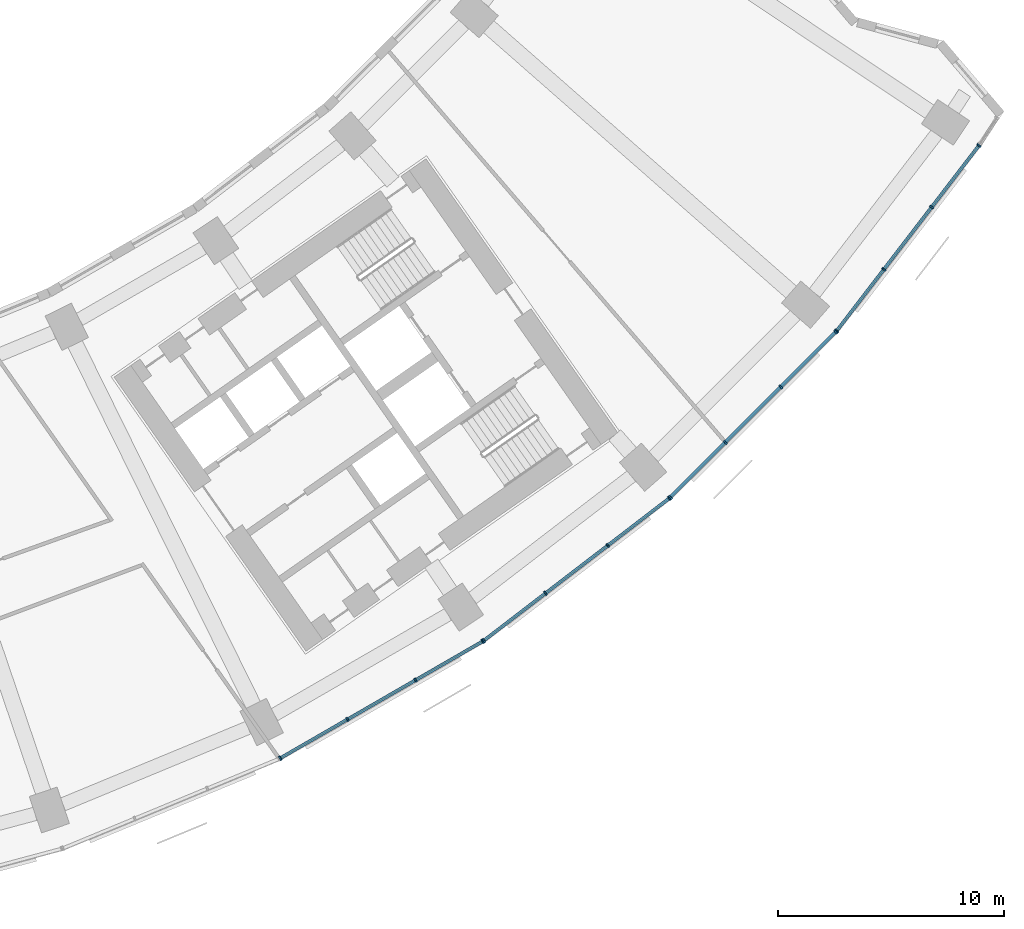
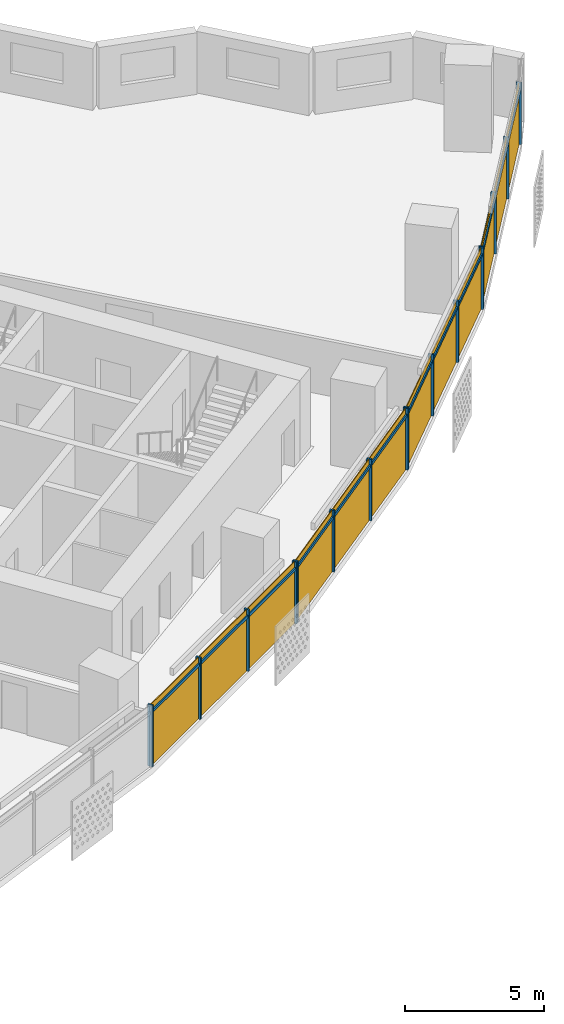
# One storey, part 22 of 29: 28 members, 4 curtain walls.
"""IFC4 building model written with IfcOpenShell, lengths in metres."""

from ifc_helpers import new_model, si_unit, direction, frame, origin, origin_2d, place, context, subcontext, project, spatial, rectangle, extrude, material, material_profile, profile_set, type_object, element, aggregate, save


model = new_model("IFC4")

# Units and contexts
model_context = context("Model", 3, precision=1e-05, world=origin(), true_north=direction((0.0, 1.0)))
body_context = subcontext(model_context, "Body", "Model", "MODEL_VIEW")
ifc_project = project(units=[si_unit("LENGTHUNIT", "METRE"), si_unit("AREAUNIT", "SQUARE_METRE"), si_unit("VOLUMEUNIT", "CUBIC_METRE"), si_unit("PLANEANGLEUNIT", "RADIAN"), si_unit("MASSUNIT", "GRAM", prefix="KILO")], contexts=[model_context])

# Member
ifc_material = material(Name="Aluminium 6063-T6 anodised", Category="aluminium")
ifc_material_profile_1 = material_profile(ifc_material, rectangle(XDim=0.199951171875, YDim=0.070068359375, at=origin_2d()))
ifc_profile_set_1 = profile_set([ifc_material_profile_1], Name="Aluminium 6063-T6 anodised")
member_type_1 = type_object("IfcMemberType", Name="Mullion 70 x 200 aluminium", PredefinedType="MULLION", material=ifc_profile_set_1)
site_placement = place(None, origin())
building_placement = place(site_placement, origin())
storey_placement = place(building_placement, frame((0.0, 0.0, 44.300048828125)))
member_1_placement = place(storey_placement, frame((35.20849609375, -71.331787109375, 0.0), z_axis=(0.0, 0.0, 1.0), x_axis=(-0.5, 0.866025403784, 0.0)))
member_1 = element("IfcMember", 1, at=member_1_placement, type_object=member_type_1, Name="e-cw1-L07-out12/M00", PredefinedType="MULLION", context=body_context, shape_type="SweptSolid", body=[
    extrude(rectangle(XDim=0.199951171875, YDim=0.070068359375, at=origin_2d()), origin(), (0.0, 0.0, 1.0), 2.699951171875),
])

member_2_placement = place(storey_placement, frame((38.18603515625, -69.61279296875, 0.0), z_axis=(0.0, 0.0, 1.0), x_axis=(-0.5, 0.866025403784, 0.0)))
member_2 = element("IfcMember", 2, at=member_2_placement, type_object=member_type_1, Name="e-cw1-L07-out12/M01", PredefinedType="MULLION", context=body_context, shape_type="SweptSolid", body=[
    extrude(rectangle(XDim=0.199951171875, YDim=0.070068359375, at=origin_2d()), origin(), (0.0, 0.0, 1.0), 2.699951171875),
])

member_3_placement = place(storey_placement, frame((41.193603515625, -67.87646484375, 0.0), z_axis=(0.0, 0.0, 1.0), x_axis=(-0.5, 0.866025403784, 0.0)))
member_3 = element("IfcMember", 3, at=member_3_placement, type_object=member_type_1, Name="e-cw1-L07-out12/M02", PredefinedType="MULLION", context=body_context, shape_type="SweptSolid", body=[
    extrude(rectangle(XDim=0.199951171875, YDim=0.070068359375, at=origin_2d()), origin(), (0.0, 0.0, 1.0), 2.699951171875),
])

member_4_placement = place(storey_placement, frame((44.1708984375, -66.157470703125, 0.0), z_axis=(0.0, 0.0, 1.0), x_axis=(-0.5, 0.866025403784, 0.0)))
member_4 = element("IfcMember", 4, at=member_4_placement, type_object=member_type_1, Name="e-cw1-L07-out12/M03", PredefinedType="MULLION", context=body_context, shape_type="SweptSolid", body=[
    extrude(rectangle(XDim=0.199951171875, YDim=0.070068359375, at=origin_2d()), origin(), (0.0, 0.0, 1.0), 2.699951171875),
])

member_5_placement = place(storey_placement, frame((44.218017578125, -66.1259765625, 0.0), z_axis=(0.0, 0.0, 1.0), x_axis=(-0.608761429009, 0.793353340291, 0.0)))
member_5 = element("IfcMember", 5, at=member_5_placement, type_object=member_type_1, Name="e-cw1-L07-out13/M00", PredefinedType="MULLION", context=body_context, shape_type="SweptSolid", body=[
    extrude(rectangle(XDim=0.199951171875, YDim=0.070068359375, at=origin_2d()), origin(), (0.0, 0.0, 1.0), 2.699951171875),
])

member_6_placement = place(storey_placement, frame((46.945556640625, -64.032958984375, 0.0), z_axis=(0.0, 0.0, 1.0), x_axis=(-0.608761429009, 0.793353340291, 0.0)))
member_6 = element("IfcMember", 6, at=member_6_placement, type_object=member_type_1, Name="e-cw1-L07-out13/M01", PredefinedType="MULLION", context=body_context, shape_type="SweptSolid", body=[
    extrude(rectangle(XDim=0.199951171875, YDim=0.070068359375, at=origin_2d()), origin(), (0.0, 0.0, 1.0), 2.699951171875),
])

member_7_placement = place(storey_placement, frame((49.70068359375, -61.9189453125, 0.0), z_axis=(0.0, 0.0, 1.0), x_axis=(-0.608761429009, 0.793353340291, 0.0)))
member_7 = element("IfcMember", 7, at=member_7_placement, type_object=member_type_1, Name="e-cw1-L07-out13/M02", PredefinedType="MULLION", context=body_context, shape_type="SweptSolid", body=[
    extrude(rectangle(XDim=0.199951171875, YDim=0.070068359375, at=origin_2d()), origin(), (0.0, 0.0, 1.0), 2.699951171875),
])

member_8_placement = place(storey_placement, frame((52.42822265625, -59.825927734375, 0.0), z_axis=(0.0, 0.0, 1.0), x_axis=(-0.608761429009, 0.793353340291, 0.0)))
member_8 = element("IfcMember", 8, at=member_8_placement, type_object=member_type_1, Name="e-cw1-L07-out13/M03", PredefinedType="MULLION", context=body_context, shape_type="SweptSolid", body=[
    extrude(rectangle(XDim=0.199951171875, YDim=0.070068359375, at=origin_2d()), origin(), (0.0, 0.0, 1.0), 2.699951171875),
])

member_9_placement = place(storey_placement, frame((52.470947265625, -59.78857421875, 0.0), z_axis=(0.0, 0.0, 1.0), x_axis=(-0.707106781187, 0.707106781187, 0.0)))
member_9 = element("IfcMember", 9, at=member_9_placement, type_object=member_type_1, Name="e-cw1-L07-out14/M00", PredefinedType="MULLION", context=body_context, shape_type="SweptSolid", body=[
    extrude(rectangle(XDim=0.199951171875, YDim=0.070068359375, at=origin_2d()), origin(), (0.0, 0.0, 1.0), 2.699951171875),
])

member_10_placement = place(storey_placement, frame((54.90185546875, -57.357666015625, 0.0), z_axis=(0.0, 0.0, 1.0), x_axis=(-0.707106781187, 0.707106781187, 0.0)))
member_10 = element("IfcMember", 10, at=member_10_placement, type_object=member_type_1, Name="e-cw1-L07-out14/M01", PredefinedType="MULLION", context=body_context, shape_type="SweptSolid", body=[
    extrude(rectangle(XDim=0.199951171875, YDim=0.070068359375, at=origin_2d()), origin(), (0.0, 0.0, 1.0), 2.699951171875),
])

member_11_placement = place(storey_placement, frame((57.357666015625, -54.90185546875, 0.0), z_axis=(0.0, 0.0, 1.0), x_axis=(-0.707106781187, 0.707106781187, 0.0)))
member_11 = element("IfcMember", 11, at=member_11_placement, type_object=member_type_1, Name="e-cw1-L07-out14/M02", PredefinedType="MULLION", context=body_context, shape_type="SweptSolid", body=[
    extrude(rectangle(XDim=0.199951171875, YDim=0.070068359375, at=origin_2d()), origin(), (0.0, 0.0, 1.0), 2.699951171875),
])

member_12_placement = place(storey_placement, frame((59.78857421875, -52.470947265625, 0.0), z_axis=(0.0, 0.0, 1.0), x_axis=(-0.707106781187, 0.707106781187, 0.0)))
member_12 = element("IfcMember", 12, at=member_12_placement, type_object=member_type_1, Name="e-cw1-L07-out14/M03", PredefinedType="MULLION", context=body_context, shape_type="SweptSolid", body=[
    extrude(rectangle(XDim=0.199951171875, YDim=0.070068359375, at=origin_2d()), origin(), (0.0, 0.0, 1.0), 2.699951171875),
])

member_13_placement = place(storey_placement, frame((59.825927734375, -52.42822265625, 0.0), z_axis=(0.0, 0.0, 1.0), x_axis=(-0.793353340291, 0.608761429009, 0.0)))
member_13 = element("IfcMember", 13, at=member_13_placement, type_object=member_type_1, Name="e-cw1-L07-out15/M00", PredefinedType="MULLION", context=body_context, shape_type="SweptSolid", body=[
    extrude(rectangle(XDim=0.199951171875, YDim=0.070068359375, at=origin_2d()), origin(), (0.0, 0.0, 1.0), 2.699951171875),
])

member_14_placement = place(storey_placement, frame((61.9189453125, -49.70068359375, 0.0), z_axis=(0.0, 0.0, 1.0), x_axis=(-0.793353340291, 0.608761429009, 0.0)))
member_14 = element("IfcMember", 14, at=member_14_placement, type_object=member_type_1, Name="e-cw1-L07-out15/M01", PredefinedType="MULLION", context=body_context, shape_type="SweptSolid", body=[
    extrude(rectangle(XDim=0.199951171875, YDim=0.070068359375, at=origin_2d()), origin(), (0.0, 0.0, 1.0), 2.699951171875),
])

member_15_placement = place(storey_placement, frame((64.032958984375, -46.945556640625, 0.0), z_axis=(0.0, 0.0, 1.0), x_axis=(-0.793353340291, 0.608761429009, 0.0)))
member_15 = element("IfcMember", 15, at=member_15_placement, type_object=member_type_1, Name="e-cw1-L07-out15/M02", PredefinedType="MULLION", context=body_context, shape_type="SweptSolid", body=[
    extrude(rectangle(XDim=0.199951171875, YDim=0.070068359375, at=origin_2d()), origin(), (0.0, 0.0, 1.0), 2.699951171875),
])

member_16_placement = place(storey_placement, frame((66.1259765625, -44.218017578125, 0.0), z_axis=(0.0, 0.0, 1.0), x_axis=(-0.793353340291, 0.608761429009, 0.0)))
member_16 = element("IfcMember", 16, at=member_16_placement, type_object=member_type_1, Name="e-cw1-L07-out15/M03", PredefinedType="MULLION", context=body_context, shape_type="SweptSolid", body=[
    extrude(rectangle(XDim=0.199951171875, YDim=0.070068359375, at=origin_2d()), origin(), (0.0, 0.0, 1.0), 2.699951171875),
])

ifc_material_profile_2 = material_profile(ifc_material, rectangle(XDim=0.139892578125, YDim=0.1201171875, at=origin_2d()))
ifc_profile_set_2 = profile_set([ifc_material_profile_2], Name="Aluminium 6063-T6 anodised")
member_type_2 = type_object("IfcMemberType", Name="Transom 120 x 140 aluminium", PredefinedType="USERDEFINED", material=ifc_profile_set_2)
member_17_placement = place(storey_placement, frame((35.239013671875, -71.314208984375, 2.39990234375), z_axis=(0.866026229868, 0.499998569178, 0.0), x_axis=(-0.499998569178, 0.866026229868, 0.0)))
member_17 = element("IfcMember", 17, at=member_17_placement, type_object=member_type_2, Name="e-cw1-L07-out12/T00", ObjectType="TRANSOM", PredefinedType="USERDEFINED", context=body_context, shape_type="SweptSolid", body=[
    extrude(rectangle(XDim=0.139892578125, YDim=0.1201171875, at=origin_2d()), origin(), (0.0, 0.0, 1.0), 3.36767578125),
])

member_18_placement = place(storey_placement, frame((38.21630859375, -69.595458984375, 2.39990234375), z_axis=(0.866000398227, 0.500043308395, 0.0), x_axis=(-0.500043308395, 0.866000398227, 0.0)))
member_18 = element("IfcMember", 18, at=member_18_placement, type_object=member_type_2, Name="e-cw1-L07-out12/T01", ObjectType="TRANSOM", PredefinedType="USERDEFINED", context=body_context, shape_type="SweptSolid", body=[
    extrude(rectangle(XDim=0.139892578125, YDim=0.1201171875, at=origin_2d()), origin(), (0.0, 0.0, 1.0), 3.403076171875),
])

member_19_placement = place(storey_placement, frame((41.223876953125, -67.85888671875, 2.39990234375), z_axis=(0.866044351828, 0.49996717959, 0.0), x_axis=(-0.49996717959, 0.866044351828, 0.0)))
member_19 = element("IfcMember", 19, at=member_19_placement, type_object=member_type_2, Name="e-cw1-L07-out12/T02", ObjectType="TRANSOM", PredefinedType="USERDEFINED", context=body_context, shape_type="SweptSolid", body=[
    extrude(rectangle(XDim=0.139892578125, YDim=0.1201171875, at=origin_2d()), origin(), (0.0, 0.0, 1.0), 3.367919921875),
])

member_20_placement = place(storey_placement, frame((44.245849609375, -66.1044921875, 2.39990234375), z_axis=(0.793375276742, 0.608732839803, 0.0), x_axis=(-0.608732839803, 0.793375276742, 0.0)))
member_20 = element("IfcMember", 20, at=member_20_placement, type_object=member_type_2, Name="e-cw1-L07-out13/T00", ObjectType="TRANSOM", PredefinedType="USERDEFINED", context=body_context, shape_type="SweptSolid", body=[
    extrude(rectangle(XDim=0.139892578125, YDim=0.1201171875, at=origin_2d()), origin(), (0.0, 0.0, 1.0), 3.36767578125),
])

member_21_placement = place(storey_placement, frame((46.973388671875, -64.01171875, 2.39990234375), z_axis=(0.793356868815, 0.60875683052, 0.0), x_axis=(-0.60875683052, 0.793356868815, 0.0)))
member_21 = element("IfcMember", 21, at=member_21_placement, type_object=member_type_2, Name="e-cw1-L07-out13/T01", ObjectType="TRANSOM", PredefinedType="USERDEFINED", context=body_context, shape_type="SweptSolid", body=[
    extrude(rectangle(XDim=0.139892578125, YDim=0.1201171875, at=origin_2d()), origin(), (0.0, 0.0, 1.0), 3.40283203125),
])

member_22_placement = place(storey_placement, frame((49.728515625, -61.8974609375, 2.39990234375), z_axis=(0.793375276742, 0.608732839803, 0.0), x_axis=(-0.608732839803, 0.793375276742, 0.0)))
member_22 = element("IfcMember", 22, at=member_22_placement, type_object=member_type_2, Name="e-cw1-L07-out13/T02", ObjectType="TRANSOM", PredefinedType="USERDEFINED", context=body_context, shape_type="SweptSolid", body=[
    extrude(rectangle(XDim=0.139892578125, YDim=0.1201171875, at=origin_2d()), origin(), (0.0, 0.0, 1.0), 3.36767578125),
])

member_23_placement = place(storey_placement, frame((52.49560546875, -59.763916015625, 2.39990234375), z_axis=(0.707106781187, 0.707106781187, 0.0), x_axis=(-0.707106781187, 0.707106781187, 0.0)))
member_23 = element("IfcMember", 23, at=member_23_placement, type_object=member_type_2, Name="e-cw1-L07-out14/T00", ObjectType="TRANSOM", PredefinedType="USERDEFINED", context=body_context, shape_type="SweptSolid", body=[
    extrude(rectangle(XDim=0.139892578125, YDim=0.1201171875, at=origin_2d()), origin(), (0.0, 0.0, 1.0), 3.3681640625),
])

member_24_placement = place(storey_placement, frame((54.9267578125, -57.332763671875, 2.39990234375), z_axis=(0.707106781187, 0.707106781187, 0.0), x_axis=(-0.707106781187, 0.707106781187, 0.0)))
member_24 = element("IfcMember", 24, at=member_24_placement, type_object=member_type_2, Name="e-cw1-L07-out14/T01", ObjectType="TRANSOM", PredefinedType="USERDEFINED", context=body_context, shape_type="SweptSolid", body=[
    extrude(rectangle(XDim=0.139892578125, YDim=0.1201171875, at=origin_2d()), origin(), (0.0, 0.0, 1.0), 3.402587890625),
])

member_25_placement = place(storey_placement, frame((57.38232421875, -54.877197265625, 2.39990234375), z_axis=(0.707106781187, 0.707106781187, 0.0), x_axis=(-0.707106781187, 0.707106781187, 0.0)))
member_25 = element("IfcMember", 25, at=member_25_placement, type_object=member_type_2, Name="e-cw1-L07-out14/T02", ObjectType="TRANSOM", PredefinedType="USERDEFINED", context=body_context, shape_type="SweptSolid", body=[
    extrude(rectangle(XDim=0.139892578125, YDim=0.1201171875, at=origin_2d()), origin(), (0.0, 0.0, 1.0), 3.3681640625),
])

member_26_placement = place(storey_placement, frame((59.847412109375, -52.400390625, 2.39990234375), z_axis=(0.608732839803, 0.793375276742, 0.0), x_axis=(-0.793375276742, 0.608732839803, 0.0)))
member_26 = element("IfcMember", 26, at=member_26_placement, type_object=member_type_2, Name="e-cw1-L07-out15/T00", ObjectType="TRANSOM", PredefinedType="USERDEFINED", context=body_context, shape_type="SweptSolid", body=[
    extrude(rectangle(XDim=0.139892578125, YDim=0.1201171875, at=origin_2d()), origin(), (0.0, 0.0, 1.0), 3.36767578125),
])

member_27_placement = place(storey_placement, frame((61.940185546875, -49.673095703125, 2.39990234375), z_axis=(0.60875683052, 0.793356868815, 0.0), x_axis=(-0.793356868815, 0.60875683052, 0.0)))
member_27 = element("IfcMember", 27, at=member_27_placement, type_object=member_type_2, Name="e-cw1-L07-out15/T01", ObjectType="TRANSOM", PredefinedType="USERDEFINED", context=body_context, shape_type="SweptSolid", body=[
    extrude(rectangle(XDim=0.139892578125, YDim=0.1201171875, at=origin_2d()), origin(), (0.0, 0.0, 1.0), 3.40283203125),
])

member_28_placement = place(storey_placement, frame((64.054443359375, -46.917724609375, 2.39990234375), z_axis=(0.608732839803, 0.793375276742, 0.0), x_axis=(-0.793375276742, 0.608732839803, 0.0)))
member_28 = element("IfcMember", 28, at=member_28_placement, type_object=member_type_2, Name="e-cw1-L07-out15/T02", ObjectType="TRANSOM", PredefinedType="USERDEFINED", context=body_context, shape_type="SweptSolid", body=[
    extrude(rectangle(XDim=0.139892578125, YDim=0.1201171875, at=origin_2d()), origin(), (0.0, 0.0, 1.0), 3.36767578125),
])

# Site, building, storey
site = spatial("IfcSite", under=ifc_project, at=site_placement, CompositionType="ELEMENT")
building = spatial("IfcBuilding", under=site, at=building_placement, Name="Qamariyya Broadcast Tower", CompositionType="ELEMENT")
storey = spatial("IfcBuildingStorey", under=building, at=storey_placement, Name="L07", CompositionType="ELEMENT", Elevation=44.300048828125)

# Curtain wall
curtain_wall_type = type_object("IfcCurtainWallType", Name="Unitised curtain wall, anodised aluminium", PredefinedType="NOTDEFINED", material=ifc_material)
curtain_wall_1_placement = place(storey_placement, origin())
curtain_wall_1 = element("IfcCurtainWall", 29, at=curtain_wall_1_placement, inside=storey, type_object=curtain_wall_type, Name="e-cw1-L07-out12", PredefinedType="NOTDEFINED", context=body_context, shape_type="SweptSolid", body=[
    extrude(rectangle(XDim=3.367919921875, YDim=0.031982421875, at=origin_2d()), frame((36.697265625, -70.472412109375, 0.0), x_axis=(0.86602247392, 0.500005074639, 0.0)), (0.0, 0.0, 1.0), 2.340087890625),
    extrude(rectangle(XDim=3.367919921875, YDim=0.031982421875, at=origin_2d()), frame((36.697265625, -70.472412109375, 2.4599609375), x_axis=(0.86602247392, 0.500005074639, 0.0)), (0.0, 0.0, 1.0), 0.239990234375),
    extrude(rectangle(XDim=3.40283203125, YDim=0.031982421875, at=origin_2d()), frame((39.689697265625, -68.74462890625, 0.0), x_axis=(0.86602247392, 0.500005074639, 0.0)), (0.0, 0.0, 1.0), 2.340087890625),
    extrude(rectangle(XDim=3.40283203125, YDim=0.031982421875, at=origin_2d()), frame((39.689697265625, -68.74462890625, 2.4599609375), x_axis=(0.86602247392, 0.500005074639, 0.0)), (0.0, 0.0, 1.0), 0.239990234375),
    extrude(rectangle(XDim=3.367919921875, YDim=0.031982421875, at=origin_2d()), frame((42.68212890625, -67.016845703125, 0.0), x_axis=(0.86602247392, 0.500005074639, 0.0)), (0.0, 0.0, 1.0), 2.340087890625),
    extrude(rectangle(XDim=3.367919921875, YDim=0.031982421875, at=origin_2d()), frame((42.68212890625, -67.016845703125, 2.4599609375), x_axis=(0.86602247392, 0.500005074639, 0.0)), (0.0, 0.0, 1.0), 0.239990234375),
])

aggregate(curtain_wall_1, [member_1, member_2, member_3, member_4, member_17, member_18, member_19])

curtain_wall_2_placement = place(storey_placement, origin())
curtain_wall_2 = element("IfcCurtainWall", 30, at=curtain_wall_2_placement, inside=storey, type_object=curtain_wall_type, Name="e-cw1-L07-out13", PredefinedType="NOTDEFINED", context=body_context, shape_type="SweptSolid", body=[
    extrude(rectangle(XDim=3.367919921875, YDim=0.031982421875, at=origin_2d()), frame((45.581787109375, -65.07958984375, 0.0), x_axis=(0.79335775203, 0.608755679475, 0.0)), (0.0, 0.0, 1.0), 2.340087890625),
    extrude(rectangle(XDim=3.367919921875, YDim=0.031982421875, at=origin_2d()), frame((45.581787109375, -65.07958984375, 2.4599609375), x_axis=(0.79335775203, 0.608755679475, 0.0)), (0.0, 0.0, 1.0), 0.239990234375),
    extrude(rectangle(XDim=3.40283203125, YDim=0.031982421875, at=origin_2d()), frame((48.3232421875, -62.97607421875, 0.0), x_axis=(0.79335775203, 0.608755679475, 0.0)), (0.0, 0.0, 1.0), 2.340087890625),
    extrude(rectangle(XDim=3.40283203125, YDim=0.031982421875, at=origin_2d()), frame((48.3232421875, -62.97607421875, 2.4599609375), x_axis=(0.79335775203, 0.608755679475, 0.0)), (0.0, 0.0, 1.0), 0.239990234375),
    extrude(rectangle(XDim=3.367919921875, YDim=0.031982421875, at=origin_2d()), frame((51.064453125, -60.872314453125, 0.0), x_axis=(0.79335775203, 0.608755679475, 0.0)), (0.0, 0.0, 1.0), 2.340087890625),
    extrude(rectangle(XDim=3.367919921875, YDim=0.031982421875, at=origin_2d()), frame((51.064453125, -60.872314453125, 2.4599609375), x_axis=(0.79335775203, 0.608755679475, 0.0)), (0.0, 0.0, 1.0), 0.239990234375),
])

aggregate(curtain_wall_2, [member_5, member_6, member_7, member_8, member_20, member_21, member_22])

curtain_wall_3_placement = place(storey_placement, origin())
curtain_wall_3 = element("IfcCurtainWall", 31, at=curtain_wall_3_placement, inside=storey, type_object=curtain_wall_type, Name="e-cw1-L07-out14", PredefinedType="NOTDEFINED", context=body_context, shape_type="SweptSolid", body=[
    extrude(rectangle(XDim=3.367919921875, YDim=0.031982421875, at=origin_2d()), frame((53.6865234375, -58.572998046875, 0.0), x_axis=(0.707106781187, 0.707106781187, 0.0)), (0.0, 0.0, 1.0), 2.340087890625),
    extrude(rectangle(XDim=3.367919921875, YDim=0.031982421875, at=origin_2d()), frame((53.6865234375, -58.572998046875, 2.4599609375), x_axis=(0.707106781187, 0.707106781187, 0.0)), (0.0, 0.0, 1.0), 0.239990234375),
    extrude(rectangle(XDim=3.40283203125, YDim=0.031982421875, at=origin_2d()), frame((56.1298828125, -56.1298828125, 0.0), x_axis=(0.707106781187, 0.707106781187, 0.0)), (0.0, 0.0, 1.0), 2.340087890625),
    extrude(rectangle(XDim=3.40283203125, YDim=0.031982421875, at=origin_2d()), frame((56.1298828125, -56.1298828125, 2.4599609375), x_axis=(0.707106781187, 0.707106781187, 0.0)), (0.0, 0.0, 1.0), 0.239990234375),
    extrude(rectangle(XDim=3.367919921875, YDim=0.031982421875, at=origin_2d()), frame((58.572998046875, -53.6865234375, 0.0), x_axis=(0.707106781187, 0.707106781187, 0.0)), (0.0, 0.0, 1.0), 2.340087890625),
    extrude(rectangle(XDim=3.367919921875, YDim=0.031982421875, at=origin_2d()), frame((58.572998046875, -53.6865234375, 2.4599609375), x_axis=(0.707106781187, 0.707106781187, 0.0)), (0.0, 0.0, 1.0), 0.239990234375),
])

aggregate(curtain_wall_3, [member_9, member_10, member_11, member_12, member_23, member_24, member_25])

curtain_wall_4_placement = place(storey_placement, origin())
curtain_wall_4 = element("IfcCurtainWall", 32, at=curtain_wall_4_placement, inside=storey, type_object=curtain_wall_type, Name="e-cw1-L07-out15", PredefinedType="NOTDEFINED", context=body_context, shape_type="SweptSolid", body=[
    extrude(rectangle(XDim=3.367919921875, YDim=0.031982421875, at=origin_2d()), frame((60.872314453125, -51.064453125, 0.0), x_axis=(0.608755679475, 0.79335775203, 0.0)), (0.0, 0.0, 1.0), 2.340087890625),
    extrude(rectangle(XDim=3.367919921875, YDim=0.031982421875, at=origin_2d()), frame((60.872314453125, -51.064453125, 2.4599609375), x_axis=(0.608755679475, 0.79335775203, 0.0)), (0.0, 0.0, 1.0), 0.239990234375),
    extrude(rectangle(XDim=3.40283203125, YDim=0.031982421875, at=origin_2d()), frame((62.97607421875, -48.3232421875, 0.0), x_axis=(0.608755679475, 0.79335775203, 0.0)), (0.0, 0.0, 1.0), 2.340087890625),
    extrude(rectangle(XDim=3.40283203125, YDim=0.031982421875, at=origin_2d()), frame((62.97607421875, -48.3232421875, 2.4599609375), x_axis=(0.608755679475, 0.79335775203, 0.0)), (0.0, 0.0, 1.0), 0.239990234375),
    extrude(rectangle(XDim=3.367919921875, YDim=0.031982421875, at=origin_2d()), frame((65.07958984375, -45.581787109375, 0.0), x_axis=(0.608755679475, 0.79335775203, 0.0)), (0.0, 0.0, 1.0), 2.340087890625),
    extrude(rectangle(XDim=3.367919921875, YDim=0.031982421875, at=origin_2d()), frame((65.07958984375, -45.581787109375, 2.4599609375), x_axis=(0.608755679475, 0.79335775203, 0.0)), (0.0, 0.0, 1.0), 0.239990234375),
])

aggregate(curtain_wall_4, [member_13, member_14, member_15, member_16, member_26, member_27, member_28])

save(model, "model.ifc")
